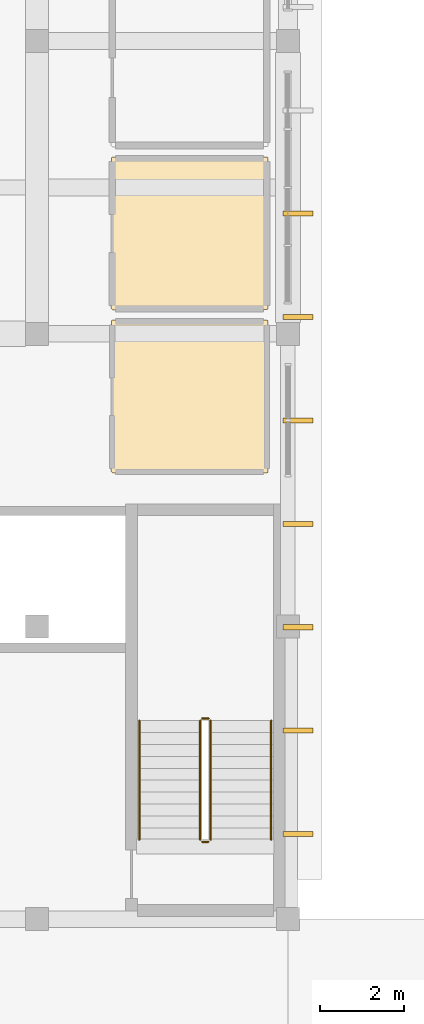
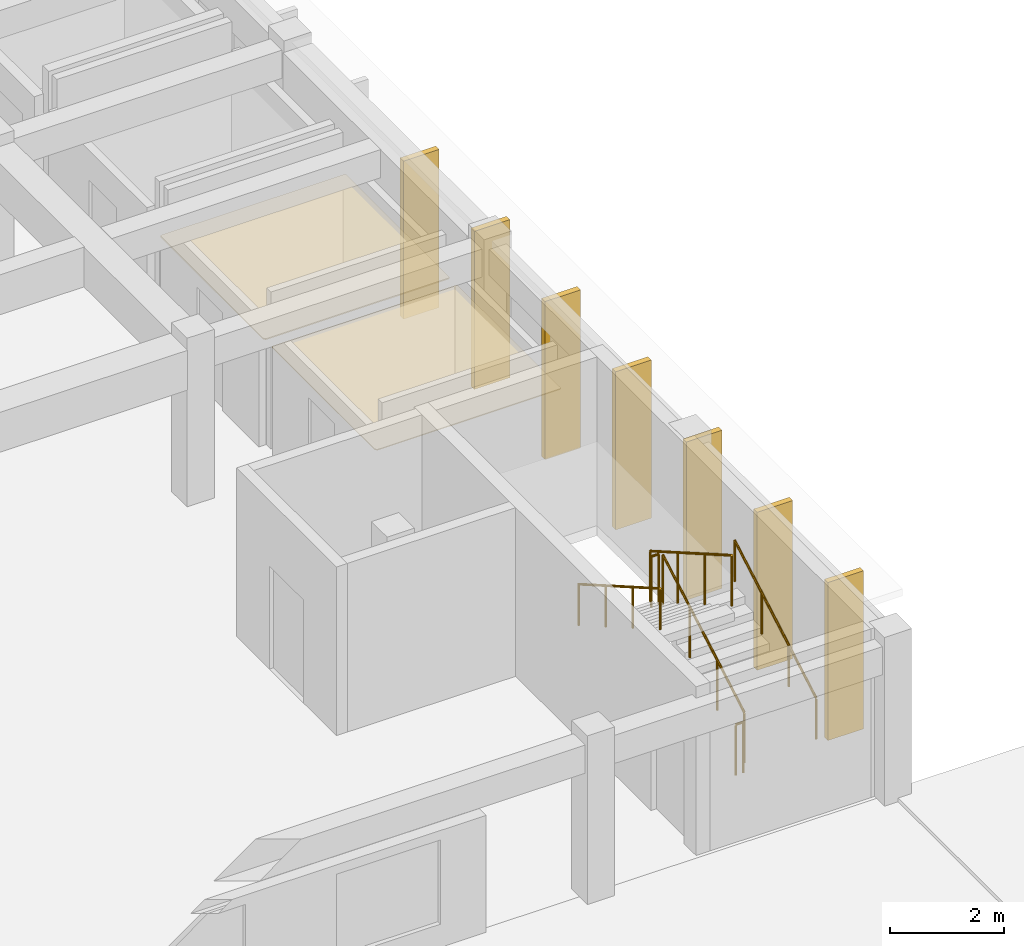
# One storey, part 19 of 23: 9 coverings, 6 railings.
"""IFC4 building model written with IfcOpenShell, lengths in metres."""

from ifc_helpers import new_model, si_unit, direction, frame, origin, origin_2d, place, context, subcontext, project, spatial, polyline, rectangle, circle, outline, extrude, material, layer, layer_set, type_object, element, save


model = new_model("IFC4")

# Units and contexts
model_context = context("Model", 3, precision=1e-05, world=origin(), true_north=direction((0.0, 1.0)))
body_context = subcontext(model_context, "Body", "Model", "MODEL_VIEW")
ifc_project = project(units=[si_unit("LENGTHUNIT", "METRE"), si_unit("AREAUNIT", "SQUARE_METRE"), si_unit("VOLUMEUNIT", "CUBIC_METRE"), si_unit("PLANEANGLEUNIT", "RADIAN"), si_unit("MASSUNIT", "GRAM", prefix="KILO")], contexts=[model_context])

# Site, building, storey
site_placement = place(None, origin())
site = spatial("IfcSite", under=ifc_project, at=site_placement, CompositionType="ELEMENT")
building_placement = place(site_placement, origin())
building = spatial("IfcBuilding", under=site, at=building_placement, Name="Larkveld Mobility Hub", CompositionType="ELEMENT")
storey_placement = place(building_placement, frame((0.0, 0.0, 19.199951171875)))
storey = spatial("IfcBuildingStorey", under=building, at=storey_placement, Name="L05", CompositionType="ELEMENT", Elevation=19.199951171875)

# Coverings
ifc_material_1 = material(Name="Precast concrete C50/60", Category="concrete")
ifc_layer_1 = layer(ifc_material_1, 0.1201171875, Name="Precast concrete C50/60", Category="concrete")
ifc_layer_set_1 = layer_set([ifc_layer_1], Name="Precast concrete C50/60")
covering_type_1 = type_object("IfcCoveringType", Name="COV-QSL-V01", PredefinedType="CLADDING", material=ifc_layer_set_1)
for number, where, z_axis, x_axis, name in (
    (1, (152.239990234375, 30.035888671875, -0.0205078125), (0.0, 0.0, 1.0), (0.0, 1.0, 0.0), "Precast Quebra-Sol Vertical Fin QSV-609"),
    (2, (152.239990234375, 32.509033203125, -0.0205078125), (0.0, 0.0, 1.0), (0.0, 1.0, 0.0), "Precast Quebra-Sol Vertical Fin QSV-610"),
    (3, (152.239990234375, 34.98193359375, -0.0205078125), (0.0, 0.0, 1.0), (0.0, 1.0, 0.0), "Precast Quebra-Sol Vertical Fin QSV-611"),
    (4, (152.239990234375, 37.455078125, -0.0205078125), (0.0, 0.0, 1.0), (0.0, 1.0, 0.0), "Precast Quebra-Sol Vertical Fin QSV-612"),
    (5, (152.239990234375, 39.927001953125, -0.0205078125), (0.0, 0.0, 1.0), (0.0, 1.0, 0.0), "Precast Quebra-Sol Vertical Fin QSV-613"),
    (6, (152.239990234375, 42.39990234375, -0.0205078125), (0.0, 0.0, 1.0), (0.0, 1.0, 0.0), "Precast Quebra-Sol Vertical Fin QSV-614"),
    (7, (152.239990234375, 44.873046875, -0.0205078125), (0.0, 0.0, 1.0), (0.0, 1.0, 0.0), "Precast Quebra-Sol Vertical Fin QSV-615"),
):
    element("IfcCovering", number, at=place(storey_placement, frame(where, z_axis=z_axis, x_axis=x_axis)), inside=storey, type_object=covering_type_1, Name=name, PredefinedType="CLADDING", context=body_context, shape_type="SweptSolid", body=[
        extrude(rectangle(XDim=0.1201171875, YDim=0.719970703125, at=origin_2d()), origin(), (0.0, 0.0, 1.0), 3.375),
    ])
ifc_material_2 = material(Name="Perforated mineral-fibre acoustic ceiling", Category="masonry")
ifc_layer_2 = layer(ifc_material_2, 0.02001953125, Name="Perforated mineral-fibre acoustic ceiling", Category="masonry")
ifc_layer_set_2 = layer_set([ifc_layer_2], Name="Perforated mineral-fibre acoustic ceiling")
covering_type_2 = type_object("IfcCoveringType", Name="CV-CLG-020", PredefinedType="CEILING", material=ifc_layer_set_2)
covering_1_placement = place(storey_placement, frame((0.0, 0.0, 2.330078125)))
element("IfcCovering", 8, at=covering_1_placement, inside=storey, type_object=covering_type_2, Name="Male Public Toilet Acoustic Ceiling 052", PredefinedType="CEILING", context=body_context, shape_type="SweptSolid", body=[
    extrude(outline(polyline([(147.820068359375, 38.669921875), (147.81689453125, 38.669921875), (147.81396484375, 38.6708984375), (147.81103515625, 38.6708984375), (147.80908203125, 38.672119140625), (147.805908203125, 38.674072265625), (147.802978515625, 38.675048828125), (147.801025390625, 38.677001953125), (147.799072265625, 38.678955078125), (147.779052734375, 38.698974609375), (147.777099609375, 38.700927734375), (147.77490234375, 38.702880859375), (147.77392578125, 38.7060546875), (147.77197265625, 38.708984375), (147.77099609375, 38.7109375), (147.77099609375, 38.714111328125), (147.77001953125, 38.717041015625), (147.77001953125, 38.719970703125), (147.77587890625, 42.2939453125), (147.77587890625, 42.297119140625), (147.77587890625, 42.300048828125), (147.777099609375, 42.302978515625), (147.778076171875, 42.305908203125), (147.779052734375, 42.30810546875), (147.781005859375, 42.31103515625), (147.782958984375, 42.31298828125), (147.784912109375, 42.31494140625), (147.787109375, 42.31689453125), (147.7890625, 42.319091796875), (147.7919921875, 42.321044921875), (147.7939453125, 42.322021484375), (147.797119140625, 42.322998046875), (147.800048828125, 42.323974609375), (147.802978515625, 42.323974609375), (147.805908203125, 42.323974609375), (151.493896484375, 42.323974609375), (151.4970703125, 42.323974609375), (151.5, 42.323974609375), (151.5029296875, 42.322998046875), (151.506103515625, 42.322021484375), (151.508056640625, 42.321044921875), (151.510986328125, 42.319091796875), (151.512939453125, 42.31689453125), (151.514892578125, 42.31494140625), (151.51708984375, 42.31298828125), (151.51904296875, 42.31103515625), (151.52099609375, 42.30810546875), (151.52197265625, 42.305908203125), (151.52294921875, 42.302978515625), (151.52392578125, 42.300048828125), (151.52392578125, 42.297119140625), (151.52392578125, 42.2939453125), (151.52392578125, 38.7060546875), (151.52392578125, 38.702880859375), (151.52392578125, 38.699951171875), (151.52294921875, 38.697021484375), (151.52197265625, 38.694091796875), (151.52099609375, 38.69189453125), (151.51904296875, 38.68896484375), (151.51708984375, 38.68701171875), (151.514892578125, 38.68505859375), (151.512939453125, 38.68310546875), (151.510986328125, 38.680908203125), (151.508056640625, 38.678955078125), (151.506103515625, 38.677978515625), (151.5029296875, 38.677001953125), (151.5, 38.676025390625), (151.4970703125, 38.676025390625), (151.493896484375, 38.676025390625), (147.820068359375, 38.669921875)])), origin(), (0.0, 0.0, 1.0), 0.02001953125),
])
ifc_material_3 = material(Name="Moisture-resistant gypsum board ceiling", Category="masonry")
ifc_layer_3 = layer(ifc_material_3, 0.02490234375, Name="Moisture-resistant gypsum board ceiling", Category="masonry")
ifc_layer_set_3 = layer_set([ifc_layer_3], Name="Moisture-resistant gypsum board ceiling")
covering_type_3 = type_object("IfcCoveringType", Name="CV-CLG-025", PredefinedType="CEILING", material=ifc_layer_set_3)
covering_2_placement = place(storey_placement, frame((0.0, 0.0, 2.324951171875)))
element("IfcCovering", 9, at=covering_2_placement, inside=storey, type_object=covering_type_3, Name="Female Public Toilet Acoustic Ceiling 053", PredefinedType="CEILING", context=body_context, shape_type="SweptSolid", body=[
    extrude(outline(polyline([(147.820068359375, 42.570068359375), (147.81689453125, 42.570068359375), (147.81396484375, 42.571044921875), (147.81103515625, 42.571044921875), (147.80908203125, 42.572021484375), (147.805908203125, 42.573974609375), (147.802978515625, 42.574951171875), (147.801025390625, 42.576904296875), (147.799072265625, 42.5791015625), (147.779052734375, 42.59912109375), (147.777099609375, 42.60107421875), (147.77490234375, 42.60302734375), (147.77392578125, 42.60595703125), (147.77197265625, 42.60888671875), (147.77099609375, 42.611083984375), (147.77099609375, 42.614013671875), (147.77001953125, 42.616943359375), (147.77001953125, 42.6201171875), (147.77587890625, 46.194091796875), (147.77587890625, 46.197021484375), (147.77587890625, 46.199951171875), (147.777099609375, 46.202880859375), (147.778076171875, 46.2060546875), (147.779052734375, 46.2080078125), (147.781005859375, 46.2109375), (147.782958984375, 46.212890625), (147.784912109375, 46.215087890625), (147.787109375, 46.217041015625), (147.7890625, 46.218994140625), (147.7919921875, 46.220947265625), (147.7939453125, 46.221923828125), (147.797119140625, 46.222900390625), (147.800048828125, 46.22412109375), (147.802978515625, 46.22412109375), (147.805908203125, 46.22412109375), (151.493896484375, 46.22412109375), (151.4970703125, 46.22412109375), (151.5, 46.22412109375), (151.5029296875, 46.222900390625), (151.506103515625, 46.221923828125), (151.508056640625, 46.220947265625), (151.510986328125, 46.218994140625), (151.512939453125, 46.217041015625), (151.514892578125, 46.215087890625), (151.51708984375, 46.212890625), (151.51904296875, 46.2109375), (151.52099609375, 46.2080078125), (151.52197265625, 46.2060546875), (151.52294921875, 46.202880859375), (151.52392578125, 46.199951171875), (151.52392578125, 46.197021484375), (151.52392578125, 46.194091796875), (151.52392578125, 42.60595703125), (151.52392578125, 42.60302734375), (151.52392578125, 42.60009765625), (151.52294921875, 42.596923828125), (151.52197265625, 42.593994140625), (151.52099609375, 42.592041015625), (151.51904296875, 42.589111328125), (151.51708984375, 42.5869140625), (151.514892578125, 42.5849609375), (151.512939453125, 42.5830078125), (151.510986328125, 42.5810546875), (151.508056640625, 42.5791015625), (151.506103515625, 42.577880859375), (151.5029296875, 42.576904296875), (151.5, 42.575927734375), (151.4970703125, 42.575927734375), (151.493896484375, 42.575927734375), (147.820068359375, 42.570068359375)])), origin(), (0.0, 0.0, 1.0), 0.025146484375),
])

# Railings
ifc_material_4 = material(Name="Galvanized Steel S355JR balustrade", Category="steel")
railing_type_1 = type_object("IfcRailingType", Name="RL-GRD-1100", PredefinedType="GUARDRAIL", material=ifc_material_4)
railing_1_placement = place(storey_placement, frame((150.14990234375, 29.89990234375, 0.16357421875)))
element("IfcRailing", 10, at=railing_1_placement, inside=storey, type_object=railing_type_1, Name="L05 ST1 stair guard 1", PredefinedType="GUARDRAIL", context=body_context, shape_type="SweptSolid", body=[
    extrude(circle(Radius=0.02392578125, at=origin_2d()), frame((0.0, 0.0, 1.076171875), z_axis=(0.0, 0.86721270334, 0.497937874806), x_axis=(-1.0, 0.0, 0.0)), (0.0, 0.0, 1.0), 3.28662109375),
    extrude(circle(Radius=0.02099609375, at=origin_2d()), origin(), (0.0, 0.0, 1.0), 1.052001953125),
    extrude(circle(Radius=0.02099609375, at=origin_2d()), frame((0.0, 0.949951171875, 0.54541015625)), (0.0, 0.0, 1.0), 1.052001953125),
    extrude(circle(Radius=0.02099609375, at=origin_2d()), frame((0.0, 1.900146484375, 1.091064453125)), (0.0, 0.0, 1.0), 1.052001953125),
    extrude(circle(Radius=0.02099609375, at=origin_2d()), frame((0.0, 2.85009765625, 1.636474609375)), (0.0, 0.0, 1.0), 1.052001953125),
])
railing_2_placement = place(storey_placement, frame((150.10009765625, 32.800048828125, 1.800048828125)))
element("IfcRailing", 11, at=railing_2_placement, inside=storey, type_object=railing_type_1, Name="L05 ST1 stair guard 2", PredefinedType="GUARDRAIL", context=body_context, shape_type="SweptSolid", body=[
    extrude(circle(Radius=0.02392578125, at=origin_2d()), frame((0.0, 0.0, 1.076171875), z_axis=(-1.0, 0.0, 0.0), x_axis=(0.0, -1.0, 0.0)), (0.0, 0.0, 1.0), 0.150146484375),
    extrude(circle(Radius=0.02099609375, at=origin_2d()), origin(), (0.0, 0.0, 1.0), 1.052001953125),
    extrude(circle(Radius=0.02099609375, at=origin_2d()), frame((-0.150146484375, 0.0, 0.0)), (0.0, 0.0, 1.0), 1.052001953125),
])
railing_3_placement = place(storey_placement, frame((149.89990234375, 32.75, 1.963623046875)))
element("IfcRailing", 12, at=railing_3_placement, inside=storey, type_object=railing_type_1, Name="L05 ST1 stair guard 3", PredefinedType="GUARDRAIL", context=body_context, shape_type="SweptSolid", body=[
    extrude(circle(Radius=0.02392578125, at=origin_2d()), frame((0.0, 0.0, 1.076171875), z_axis=(0.0, -0.86721270334, 0.497937874806), x_axis=(1.0, 0.0, 0.0)), (0.0, 0.0, 1.0), 3.28662109375),
    extrude(circle(Radius=0.02099609375, at=origin_2d()), origin(), (0.0, 0.0, 1.0), 1.052001953125),
    extrude(circle(Radius=0.02099609375, at=origin_2d()), frame((0.0, -0.949951171875, 0.54541015625)), (0.0, 0.0, 1.0), 1.052001953125),
    extrude(circle(Radius=0.02099609375, at=origin_2d()), frame((0.0, -1.900146484375, 1.091064453125)), (0.0, 0.0, 1.0), 1.052001953125),
    extrude(circle(Radius=0.02099609375, at=origin_2d()), frame((0.0, -2.85009765625, 1.636474609375)), (0.0, 0.0, 1.0), 1.052001953125),
])
railing_4_placement = place(storey_placement, frame((150.10009765625, 29.85009765625, 0.0)))
element("IfcRailing", 13, at=railing_4_placement, inside=storey, type_object=railing_type_1, Name="L05 ST1 stair guard 4", PredefinedType="GUARDRAIL", context=body_context, shape_type="SweptSolid", body=[
    extrude(circle(Radius=0.02392578125, at=origin_2d()), frame((0.0, 0.0, 1.076171875), z_axis=(-1.0, 0.0, 0.0), x_axis=(0.0, -1.0, 0.0)), (0.0, 0.0, 1.0), 0.150146484375),
    extrude(circle(Radius=0.02099609375, at=origin_2d()), origin(), (0.0, 0.0, 1.0), 1.052001953125),
    extrude(circle(Radius=0.02099609375, at=origin_2d()), frame((-0.150146484375, 0.0, 0.0)), (0.0, 0.0, 1.0), 1.052001953125),
])
ifc_material_5 = material(Name="Brushed Steel S355JR tubular handrail", Category="steel")
railing_type_2 = type_object("IfcRailingType", Name="RL-HND-0900", PredefinedType="HANDRAIL", material=ifc_material_5)
railing_5_placement = place(storey_placement, frame((151.60009765625, 29.89990234375, 0.16357421875)))
element("IfcRailing", 14, at=railing_5_placement, inside=storey, type_object=railing_type_2, Name="L05 ST1 stair handrail 1", PredefinedType="HANDRAIL", context=body_context, shape_type="SweptSolid", body=[
    extrude(circle(Radius=0.02392578125, at=origin_2d()), frame((0.0, 0.0, 0.8759765625), z_axis=(0.0, 0.86721270334, 0.497937874806), x_axis=(-1.0, 0.0, 0.0)), (0.0, 0.0, 1.0), 3.28662109375),
    extrude(circle(Radius=0.02099609375, at=origin_2d()), origin(), (0.0, 0.0, 1.0), 0.851806640625),
    extrude(circle(Radius=0.02099609375, at=origin_2d()), frame((0.0, 0.949951171875, 0.54541015625)), (0.0, 0.0, 1.0), 0.851806640625),
    extrude(circle(Radius=0.02099609375, at=origin_2d()), frame((0.0, 1.900146484375, 1.091064453125)), (0.0, 0.0, 1.0), 0.851806640625),
    extrude(circle(Radius=0.02099609375, at=origin_2d()), frame((0.0, 2.85009765625, 1.636474609375)), (0.0, 0.0, 1.0), 0.851806640625),
])
railing_6_placement = place(storey_placement, frame((148.449951171875, 32.75, 1.963623046875)))
element("IfcRailing", 15, at=railing_6_placement, inside=storey, type_object=railing_type_2, Name="L05 ST1 stair handrail 2", PredefinedType="HANDRAIL", context=body_context, shape_type="SweptSolid", body=[
    extrude(circle(Radius=0.02392578125, at=origin_2d()), frame((0.0, 0.0, 0.8759765625), z_axis=(0.0, -0.86721270334, 0.497937874806), x_axis=(1.0, 0.0, 0.0)), (0.0, 0.0, 1.0), 3.28662109375),
    extrude(circle(Radius=0.02099609375, at=origin_2d()), origin(), (0.0, 0.0, 1.0), 0.851806640625),
    extrude(circle(Radius=0.02099609375, at=origin_2d()), frame((0.0, -0.949951171875, 0.54541015625)), (0.0, 0.0, 1.0), 0.851806640625),
    extrude(circle(Radius=0.02099609375, at=origin_2d()), frame((0.0, -1.900146484375, 1.091064453125)), (0.0, 0.0, 1.0), 0.851806640625),
    extrude(circle(Radius=0.02099609375, at=origin_2d()), frame((0.0, -2.85009765625, 1.636474609375)), (0.0, 0.0, 1.0), 0.851806640625),
])

save(model, "model.ifc")
